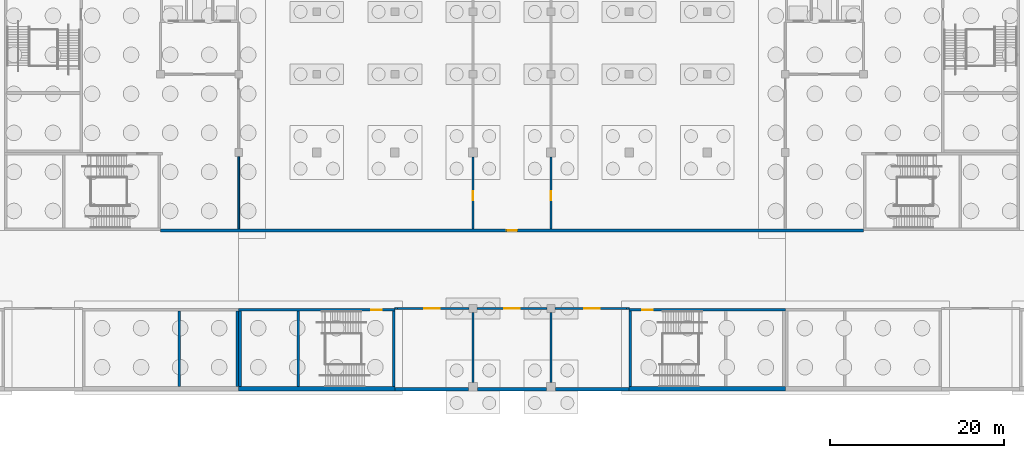
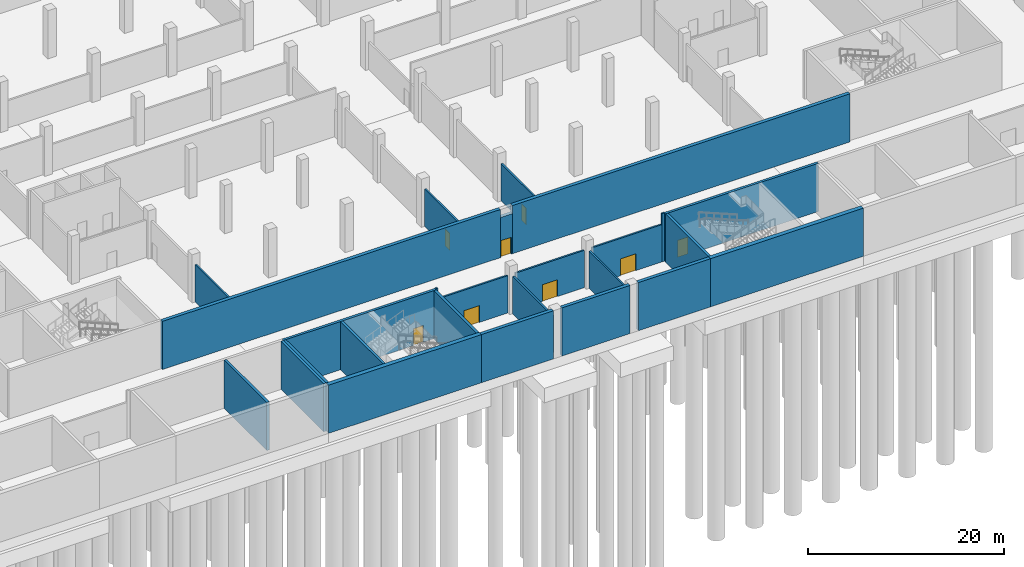
# One storey, part 10 of 42: 26 walls, 8 doors, 8 openings.
"""IFC4 building model written with IfcOpenShell, lengths in metres."""

from ifc_helpers import new_model, si_unit, direction, frame, frame_2d, origin, place, context, subcontext, project, spatial, rectangle, extrude, material, layer, layer_set, type_object, element, fill, save


model = new_model("IFC4")

# Units and contexts
model_context = context("Model", 3, precision=1e-05, world=origin(), true_north=direction((0.0, 1.0)))
body_context = subcontext(model_context, "Body", "Model", "MODEL_VIEW")
ifc_project = project(units=[si_unit("LENGTHUNIT", "METRE"), si_unit("AREAUNIT", "SQUARE_METRE"), si_unit("VOLUMEUNIT", "CUBIC_METRE"), si_unit("PLANEANGLEUNIT", "RADIAN"), si_unit("MASSUNIT", "GRAM", prefix="KILO")], contexts=[model_context])

# Site, building, storey
site_placement = place(None, origin())
site = spatial("IfcSite", under=ifc_project, at=site_placement, CompositionType="ELEMENT")
building_placement = place(site_placement, origin())
building = spatial("IfcBuilding", under=site, at=building_placement, Name="Silverbay Arena", CompositionType="ELEMENT")
storey_placement = place(building_placement, frame((0.0, 0.0, -6.0)))
storey = spatial("IfcBuildingStorey", under=building, at=storey_placement, Name="B1", CompositionType="ELEMENT", Elevation=-6.0)

# Walls
ifc_material_1 = material(Name="Concrete Grade C45", Category="concrete")
ifc_layer_1 = layer(ifc_material_1, 0.39990234375)
ifc_layer_set_1 = layer_set([ifc_layer_1], Name="Concrete Grade C45")
wall_type_1 = type_object("IfcWallType", Name="Basement perimeter wall 400", PredefinedType="SOLIDWALL", material=ifc_layer_set_1)
wall_1_placement = place(storey_placement, frame((117.0, 17.699951171875, 0.0), z_axis=(0.0, 0.0, 1.0), x_axis=(1.0, 0.0, 0.0)))
element("IfcWall", 1, at=wall_1_placement, inside=storey, type_object=wall_type_1, Name="South external wall B1 bay 11", PredefinedType="SOLIDWALL", context=body_context, shape_type="SweptSolid", body=[
    extrude(rectangle(XDim=8.5, YDim=0.39990234375, at=frame_2d((4.25, 0.0))), origin(), (0.0, 0.0, 1.0), 6.0),
])
wall_2_placement = place(storey_placement, frame((126.5, 17.699951171875, 0.0), z_axis=(0.0, 0.0, 1.0), x_axis=(1.0, 0.0, 0.0)))
element("IfcWall", 2, at=wall_2_placement, inside=storey, type_object=wall_type_1, Name="South external wall B1 bay 12", PredefinedType="SOLIDWALL", context=body_context, shape_type="SweptSolid", body=[
    extrude(rectangle(XDim=8.0, YDim=0.39990234375, at=frame_2d((4.0, 0.0))), origin(), (0.0, 0.0, 1.0), 6.0),
])
wall_3_placement = place(storey_placement, frame((135.5, 17.699951171875, 0.0), z_axis=(0.0, 0.0, 1.0), x_axis=(1.0, 0.0, 0.0)))
element("IfcWall", 3, at=wall_3_placement, inside=storey, type_object=wall_type_1, Name="South external wall B1 bay 13", PredefinedType="SOLIDWALL", context=body_context, shape_type="SweptSolid", body=[
    extrude(rectangle(XDim=8.5, YDim=0.39990234375, at=frame_2d((4.25, 0.0))), origin(), (0.0, 0.0, 1.0), 6.0),
])
ifc_material_2 = material(Name="Concrete Grade C45", Category="concrete")
ifc_layer_2 = layer(ifc_material_2, 0.300048828125)
ifc_layer_set_2 = layer_set([ifc_layer_2], Name="Concrete Grade C45")
wall_type_2 = type_object("IfcWallType", Name="Core wall RC 300 EI 240", PredefinedType="SHEAR", material=ifc_layer_set_2)
for number, where, z_axis, x_axis, name in (
    (4, (98.85009765625, 26.699951171875, 0.0), (0.0, 0.0, 1.0), (0.0, -1.0, 0.0), "Core wall ST-S1 B1 end 2"),
    (5, (92.14990234375, 26.699951171875, 0.0), (0.0, 0.0, 1.0), (0.0, -1.0, 0.0), "Core wall ST-S1 B1 stair enclosure"),
):
    element("IfcWall", number, at=place(storey_placement, frame(where, z_axis=z_axis, x_axis=x_axis)), inside=storey, type_object=wall_type_2, Name=name, PredefinedType="SHEAR", context=body_context, shape_type="SweptSolid", body=[
        extrude(rectangle(XDim=8.699951171875, YDim=0.300048828125, at=frame_2d((4.35009765625, 0.0))), origin(), (0.0, 0.0, 1.0), 6.0),
    ])

# Wall, opening, door
wall_4_placement = place(storey_placement, frame((117.0, 26.85009765625, 0.0), z_axis=(0.0, 0.0, 1.0), x_axis=(-1.0, 0.0, 0.0)))
wall_4 = element("IfcWall", 6, at=wall_4_placement, inside=storey, type_object=wall_type_2, Name="Core wall ST-S2 B1 door side", PredefinedType="SHEAR", context=body_context, shape_type="SweptSolid", body=[
    extrude(rectangle(XDim=18.0, YDim=0.300048828125, at=frame_2d((9.0, 0.0))), origin(), (0.0, 0.0, 1.0), 6.0),
])
opening_1_placement = place(wall_4_placement, frame((1.5, 0.0, 0.0)))
opening_1 = element("IfcOpeningElement", 7, at=opening_1_placement, cuts=wall_4, Name="Opening B1-078", PredefinedType="OPENING", context=body_context, shape_type="SweptSolid", body=[
    extrude(rectangle(XDim=1.199951171875, YDim=2.10009765625, at=frame_2d((0.60009765625, 1.050048828125))), frame((0.0, 0.16015625, 0.0), z_axis=(0.0, -1.0, 0.0), x_axis=(1.0, 0.0, 0.0)), (0.0, 0.0, 1.0), 0.320068359375),
])
ifc_material_3 = material(Name="Steel fire door", Category="steel")
door_type_1 = type_object("IfcDoorType", Name="Stair door 1200 x 2100 fire door", OperationType="SINGLE_SWING_LEFT", PredefinedType="DOOR", material=ifc_material_3)
door_1_placement = place(opening_1_placement, origin())
door_1 = element("IfcDoor", 8, at=door_1_placement, inside=storey, type_object=door_type_1, Name="Stair door ST-S2 B1", OperationType="SINGLE_SWING_LEFT", OverallHeight=2.10009765625, OverallWidth=1.199951171875, PredefinedType="DOOR", context=body_context, shape_type="SweptSolid", body=[
    extrude(rectangle(XDim=1.199951171875, YDim=2.10009765625, at=frame_2d((0.60009765625, 1.050048828125))), frame((0.0, 0.02490234375, 0.0), z_axis=(0.0, -1.0, 0.0), x_axis=(1.0, 0.0, 0.0)), (0.0, 0.0, 1.0), 0.050048828125),
])
fill(opening_1, door_1)

# Walls
for number, where, z_axis, x_axis, name in (
    (9, (116.85009765625, 26.699951171875, 0.0), (0.0, 0.0, 1.0), (0.0, -1.0, 0.0), "Core wall ST-S2 B1 end 1"),
    (10, (99.14990234375, 26.699951171875, 0.0), (0.0, 0.0, 1.0), (0.0, -1.0, 0.0), "Core wall ST-S2 B1 end 2"),
    (11, (105.85009765625, 26.699951171875, 0.0), (0.0, 0.0, 1.0), (0.0, -1.0, 0.0), "Core wall ST-S2 B1 stair enclosure"),
):
    element("IfcWall", number, at=place(storey_placement, frame(where, z_axis=z_axis, x_axis=x_axis)), inside=storey, type_object=wall_type_2, Name=name, PredefinedType="SHEAR", context=body_context, shape_type="SweptSolid", body=[
        extrude(rectangle(XDim=8.699951171875, YDim=0.300048828125, at=frame_2d((4.35009765625, 0.0))), origin(), (0.0, 0.0, 1.0), 6.0),
    ])

# Wall, opening, door
wall_5_placement = place(storey_placement, frame((144.0, 26.85009765625, 0.0), z_axis=(0.0, 0.0, 1.0), x_axis=(1.0, 0.0, 0.0)))
wall_5 = element("IfcWall", 12, at=wall_5_placement, inside=storey, type_object=wall_type_2, Name="Core wall ST-S3 B1 door side", PredefinedType="SHEAR", context=body_context, shape_type="SweptSolid", body=[
    extrude(rectangle(XDim=18.0, YDim=0.300048828125, at=frame_2d((9.0, 0.0))), origin(), (0.0, 0.0, 1.0), 6.0),
])
opening_2_placement = place(wall_5_placement, frame((1.5, 0.0, 0.0)))
opening_2 = element("IfcOpeningElement", 13, at=opening_2_placement, cuts=wall_5, Name="Opening B1-079", PredefinedType="OPENING", context=body_context, shape_type="SweptSolid", body=[
    extrude(rectangle(XDim=1.199951171875, YDim=2.10009765625, at=frame_2d((0.60009765625, 1.050048828125))), frame((0.0, 0.16015625, 0.0), z_axis=(0.0, -1.0, 0.0), x_axis=(1.0, 0.0, 0.0)), (0.0, 0.0, 1.0), 0.320068359375),
])
door_2_placement = place(opening_2_placement, frame((1.199951171875, 0.0, 0.0), z_axis=(0.0, 0.0, 1.0), x_axis=(-1.0, 0.0, 0.0)))
door_2 = element("IfcDoor", 14, at=door_2_placement, inside=storey, type_object=door_type_1, Name="Stair door ST-S3 B1", OperationType="SINGLE_SWING_RIGHT", OverallHeight=2.10009765625, OverallWidth=1.199951171875, PredefinedType="DOOR", context=body_context, shape_type="SweptSolid", body=[
    extrude(rectangle(XDim=1.199951171875, YDim=2.10009765625, at=frame_2d((0.60009765625, 1.050048828125))), frame((0.0, 0.02490234375, 0.0), z_axis=(0.0, -1.0, 0.0), x_axis=(1.0, 0.0, 0.0)), (0.0, 0.0, 1.0), 0.050048828125),
])
fill(opening_2, door_2)

# Walls
wall_6_placement = place(storey_placement, frame((144.14990234375, 26.699951171875, 0.0), z_axis=(0.0, 0.0, 1.0), x_axis=(0.0, -1.0, 0.0)))
element("IfcWall", 15, at=wall_6_placement, inside=storey, type_object=wall_type_2, Name="Core wall ST-S3 B1 end 1", PredefinedType="SHEAR", context=body_context, shape_type="SweptSolid", body=[
    extrude(rectangle(XDim=8.699951171875, YDim=0.300048828125, at=frame_2d((4.35009765625, 0.0))), origin(), (0.0, 0.0, 1.0), 6.0),
])
ifc_material_4 = material(Name="Concrete Grade C45", Category="concrete")
ifc_layer_3 = layer(ifc_material_4, 0.5)
ifc_layer_set_3 = layer_set([ifc_layer_3], Name="Concrete Grade C45")
wall_type_3 = type_object("IfcWallType", Name="Core wall RC 500 external EI 240", PredefinedType="SHEAR", material=ifc_layer_set_3)
for number, where, z_axis, x_axis, name in (
    (16, (117.0, 17.75, 0.0), (0.0, 0.0, 1.0), (-1.0, 0.0, 0.0), "Core wall ST-S2 B1 facade side"),
    (17, (144.0, 17.75, 0.0), (0.0, 0.0, 1.0), (1.0, 0.0, 0.0), "Core wall ST-S3 B1 facade side"),
):
    element("IfcWall", number, at=place(storey_placement, frame(where, z_axis=z_axis, x_axis=x_axis)), inside=storey, type_object=wall_type_3, Name=name, PredefinedType="SHEAR", context=body_context, shape_type="SweptSolid", body=[
        extrude(rectangle(XDim=18.0, YDim=0.5, at=frame_2d((9.0, 0.0))), origin(), (0.0, 0.0, 1.0), 6.0),
    ])

# Wall, opening, door
ifc_material_5 = material(Name="Masonry blockwork partition", Category="masonry")
ifc_layer_4 = layer(ifc_material_5, 0.199951171875)
ifc_layer_set_4 = layer_set([ifc_layer_4], Name="Masonry blockwork partition")
wall_type_4 = type_object("IfcWallType", Name="Partition 200 EI 240", PredefinedType="PARTITIONING", material=ifc_layer_set_4)
wall_7_placement = place(storey_placement, frame((117.300048828125, 27.0, 0.0), z_axis=(0.0, 0.0, 1.0), x_axis=(1.0, 0.0, 0.0)))
wall_7 = element("IfcWall", 18, at=wall_7_placement, inside=storey, type_object=wall_type_4, Name="Partition wall", PredefinedType="PARTITIONING", context=body_context, shape_type="SweptSolid", body=[
    extrude(rectangle(XDim=8.25, YDim=0.199951171875, at=frame_2d((4.125, 0.0))), origin(), (0.0, 0.0, 1.0), 4.64990234375),
])
opening_3_placement = place(wall_7_placement, frame((3.074951171875, 0.0, 0.0)))
opening_3 = element("IfcOpeningElement", 19, at=opening_3_placement, cuts=wall_7, Name="Opening B1-002", PredefinedType="OPENING", context=body_context, shape_type="SweptSolid", body=[
    extrude(rectangle(XDim=1.800048828125, YDim=2.10009765625, at=frame_2d((0.89990234375, 1.050048828125))), frame((0.0, 0.10986328125, 0.0), z_axis=(0.0, -1.0, 0.0), x_axis=(1.0, 0.0, 0.0)), (0.0, 0.0, 1.0), 0.219970703125),
])
ifc_material_6 = material(Name="Steel faced timber", Category="steel")
door_type_2 = type_object("IfcDoorType", Name="Double leaf door 1800 x 2100 FD120", OperationType="DOUBLE_DOOR_DOUBLE_SWING", PredefinedType="DOOR", material=ifc_material_6)
door_3_placement = place(opening_3_placement, frame((1.800048828125, 0.0, 0.0), z_axis=(0.0, 0.0, 1.0), x_axis=(-1.0, 0.0, 0.0)))
door_3 = element("IfcDoor", 20, at=door_3_placement, inside=storey, type_object=door_type_2, Name="Door B1-002", OperationType="DOUBLE_DOOR_DOUBLE_SWING", OverallHeight=2.10009765625, OverallWidth=1.800048828125, PredefinedType="DOOR", context=body_context, shape_type="SweptSolid", body=[
    extrude(rectangle(XDim=1.800048828125, YDim=2.10009765625, at=frame_2d((0.89990234375, 1.050048828125))), frame((0.0, 0.02490234375, 0.0), z_axis=(0.0, -1.0, 0.0), x_axis=(1.0, 0.0, 0.0)), (0.0, 0.0, 1.0), 0.050048828125),
])
fill(opening_3, door_3)

wall_8_placement = place(storey_placement, frame((126.449951171875, 27.0, 0.0), z_axis=(0.0, 0.0, 1.0), x_axis=(1.0, 0.0, 0.0)))
wall_8 = element("IfcWall", 21, at=wall_8_placement, inside=storey, type_object=wall_type_4, Name="Partition wall", PredefinedType="PARTITIONING", context=body_context, shape_type="SweptSolid", body=[
    extrude(rectangle(XDim=8.10009765625, YDim=0.199951171875, at=frame_2d((4.050048828125, 0.0))), origin(), (0.0, 0.0, 1.0), 4.64990234375),
])
opening_4_placement = place(wall_8_placement, frame((3.14990234375, 0.0, 0.0)))
opening_4 = element("IfcOpeningElement", 22, at=opening_4_placement, cuts=wall_8, Name="Opening B1-003", PredefinedType="OPENING", context=body_context, shape_type="SweptSolid", body=[
    extrude(rectangle(XDim=1.800048828125, YDim=2.10009765625, at=frame_2d((0.89990234375, 1.050048828125))), frame((0.0, 0.10986328125, 0.0), z_axis=(0.0, -1.0, 0.0), x_axis=(1.0, 0.0, 0.0)), (0.0, 0.0, 1.0), 0.219970703125),
])
door_4_placement = place(opening_4_placement, frame((1.800048828125, 0.0, 0.0), z_axis=(0.0, 0.0, 1.0), x_axis=(-1.0, 0.0, 0.0)))
door_4 = element("IfcDoor", 23, at=door_4_placement, inside=storey, type_object=door_type_2, Name="Door B1-003", OperationType="DOUBLE_DOOR_DOUBLE_SWING", OverallHeight=2.10009765625, OverallWidth=1.800048828125, PredefinedType="DOOR", context=body_context, shape_type="SweptSolid", body=[
    extrude(rectangle(XDim=1.800048828125, YDim=2.10009765625, at=frame_2d((0.89990234375, 1.050048828125))), frame((0.0, 0.02490234375, 0.0), z_axis=(0.0, -1.0, 0.0), x_axis=(1.0, 0.0, 0.0)), (0.0, 0.0, 1.0), 0.050048828125),
])
fill(opening_4, door_4)

wall_9_placement = place(storey_placement, frame((135.449951171875, 27.0, 0.0), z_axis=(0.0, 0.0, 1.0), x_axis=(1.0, 0.0, 0.0)))
wall_9 = element("IfcWall", 24, at=wall_9_placement, inside=storey, type_object=wall_type_4, Name="Partition wall", PredefinedType="PARTITIONING", context=body_context, shape_type="SweptSolid", body=[
    extrude(rectangle(XDim=8.25, YDim=0.199951171875, at=frame_2d((4.125, 0.0))), origin(), (0.0, 0.0, 1.0), 4.64990234375),
])
opening_5_placement = place(wall_9_placement, frame((3.375, 0.0, 0.0)))
opening_5 = element("IfcOpeningElement", 25, at=opening_5_placement, cuts=wall_9, Name="Opening B1-004", PredefinedType="OPENING", context=body_context, shape_type="SweptSolid", body=[
    extrude(rectangle(XDim=1.800048828125, YDim=2.10009765625, at=frame_2d((0.89990234375, 1.050048828125))), frame((0.0, 0.10986328125, 0.0), z_axis=(0.0, -1.0, 0.0), x_axis=(1.0, 0.0, 0.0)), (0.0, 0.0, 1.0), 0.219970703125),
])
door_5_placement = place(opening_5_placement, frame((1.800048828125, 0.0, 0.0), z_axis=(0.0, 0.0, 1.0), x_axis=(-1.0, 0.0, 0.0)))
door_5 = element("IfcDoor", 26, at=door_5_placement, inside=storey, type_object=door_type_2, Name="Door B1-004", OperationType="DOUBLE_DOOR_DOUBLE_SWING", OverallHeight=2.10009765625, OverallWidth=1.800048828125, PredefinedType="DOOR", context=body_context, shape_type="SweptSolid", body=[
    extrude(rectangle(XDim=1.800048828125, YDim=2.10009765625, at=frame_2d((0.89990234375, 1.050048828125))), frame((0.0, 0.02490234375, 0.0), z_axis=(0.0, -1.0, 0.0), x_axis=(1.0, 0.0, 0.0)), (0.0, 0.0, 1.0), 0.050048828125),
])
fill(opening_5, door_5)

# Walls
wall_10_placement = place(storey_placement, frame((99.0, 36.199951171875, 0.0), z_axis=(0.0, 0.0, 1.0), x_axis=(0.0, 1.0, 0.0)))
element("IfcWall", 27, at=wall_10_placement, inside=storey, type_object=wall_type_4, Name="Partition wall", PredefinedType="PARTITIONING", context=body_context, shape_type="SweptSolid", body=[
    extrude(rectangle(XDim=8.35009765625, YDim=0.199951171875, at=frame_2d((4.175048828125, 0.0))), origin(), (0.0, 0.0, 1.0), 4.64990234375),
])
wall_11_placement = place(storey_placement, frame((126.0, 18.5, 0.0), z_axis=(0.0, 0.0, 1.0), x_axis=(0.0, 1.0, 0.0)))
element("IfcWall", 28, at=wall_11_placement, inside=storey, type_object=wall_type_4, Name="Partition wall", PredefinedType="PARTITIONING", context=body_context, shape_type="SweptSolid", body=[
    extrude(rectangle(XDim=8.050048828125, YDim=0.199951171875, at=frame_2d((4.02490234375, 0.0))), origin(), (0.0, 0.0, 1.0), 4.64990234375),
])

# Wall, opening, door
wall_12_placement = place(storey_placement, frame((126.0, 36.199951171875, 0.0), z_axis=(0.0, 0.0, 1.0), x_axis=(0.0, 1.0, 0.0)))
wall_12 = element("IfcWall", 29, at=wall_12_placement, inside=storey, type_object=wall_type_4, Name="Partition wall", PredefinedType="PARTITIONING", context=body_context, shape_type="SweptSolid", body=[
    extrude(rectangle(XDim=8.300048828125, YDim=0.199951171875, at=frame_2d((4.14990234375, 0.0))), origin(), (0.0, 0.0, 1.0), 4.64990234375),
])
opening_6_placement = place(wall_12_placement, frame((3.300048828125, 0.0, 0.0)))
opening_6 = element("IfcOpeningElement", 30, at=opening_6_placement, cuts=wall_12, Name="Opening B1-041", PredefinedType="OPENING", context=body_context, shape_type="SweptSolid", body=[
    extrude(rectangle(XDim=1.0, YDim=2.10009765625, at=frame_2d((0.5, 1.050048828125))), frame((0.0, 0.10986328125, 0.0), z_axis=(0.0, -1.0, 0.0), x_axis=(1.0, 0.0, 0.0)), (0.0, 0.0, 1.0), 0.219970703125),
])
ifc_material_7 = material(Name="Steel faced timber", Category="steel")
door_type_3 = type_object("IfcDoorType", Name="Single leaf door 1000 x 2100 FD30S", OperationType="SINGLE_SWING_LEFT", PredefinedType="DOOR", material=ifc_material_7)
door_6_placement = place(opening_6_placement, origin())
door_6 = element("IfcDoor", 31, at=door_6_placement, inside=storey, type_object=door_type_3, Name="Door B1-041", OperationType="SINGLE_SWING_LEFT", OverallHeight=2.10009765625, OverallWidth=1.0, PredefinedType="DOOR", context=body_context, shape_type="SweptSolid", body=[
    extrude(rectangle(XDim=1.0, YDim=2.10009765625, at=frame_2d((0.5, 1.050048828125))), frame((0.0, 0.02490234375, 0.0), z_axis=(0.0, -1.0, 0.0), x_axis=(1.0, 0.0, 0.0)), (0.0, 0.0, 1.0), 0.050048828125),
])
fill(opening_6, door_6)

# Wall
wall_13_placement = place(storey_placement, frame((135.0, 18.5, 0.0), z_axis=(0.0, 0.0, 1.0), x_axis=(0.0, 1.0, 0.0)))
element("IfcWall", 32, at=wall_13_placement, inside=storey, type_object=wall_type_4, Name="Partition wall", PredefinedType="PARTITIONING", context=body_context, shape_type="SweptSolid", body=[
    extrude(rectangle(XDim=8.050048828125, YDim=0.199951171875, at=frame_2d((4.02490234375, 0.0))), origin(), (0.0, 0.0, 1.0), 4.64990234375),
])

# Wall, opening, door
wall_14_placement = place(storey_placement, frame((135.0, 36.199951171875, 0.0), z_axis=(0.0, 0.0, 1.0), x_axis=(0.0, 1.0, 0.0)))
wall_14 = element("IfcWall", 33, at=wall_14_placement, inside=storey, type_object=wall_type_4, Name="Partition wall", PredefinedType="PARTITIONING", context=body_context, shape_type="SweptSolid", body=[
    extrude(rectangle(XDim=8.300048828125, YDim=0.199951171875, at=frame_2d((4.14990234375, 0.0))), origin(), (0.0, 0.0, 1.0), 4.64990234375),
])
opening_7_placement = place(wall_14_placement, frame((3.300048828125, 0.0, 0.0)))
opening_7 = element("IfcOpeningElement", 34, at=opening_7_placement, cuts=wall_14, Name="Opening B1-044", PredefinedType="OPENING", context=body_context, shape_type="SweptSolid", body=[
    extrude(rectangle(XDim=1.0, YDim=2.10009765625, at=frame_2d((0.5, 1.050048828125))), frame((0.0, 0.10986328125, 0.0), z_axis=(0.0, -1.0, 0.0), x_axis=(1.0, 0.0, 0.0)), (0.0, 0.0, 1.0), 0.219970703125),
])
door_7_placement = place(opening_7_placement, frame((1.0, 0.0, 0.0), z_axis=(0.0, 0.0, 1.0), x_axis=(-1.0, 0.0, 0.0)))
door_7 = element("IfcDoor", 35, at=door_7_placement, inside=storey, type_object=door_type_3, Name="Door B1-044", OperationType="SINGLE_SWING_RIGHT", OverallHeight=2.10009765625, OverallWidth=1.0, PredefinedType="DOOR", context=body_context, shape_type="SweptSolid", body=[
    extrude(rectangle(XDim=1.0, YDim=2.10009765625, at=frame_2d((0.5, 1.050048828125))), frame((0.0, 0.02490234375, 0.0), z_axis=(0.0, -1.0, 0.0), x_axis=(1.0, 0.0, 0.0)), (0.0, 0.0, 1.0), 0.050048828125),
])
fill(opening_7, door_7)

# Walls
for number, where, z_axis, x_axis, name in (
    (36, (117.0, 27.0, 0.0), (0.0, 0.0, 1.0), (1.0, 0.0, 0.0), "Partition wall"),
    (37, (143.699951171875, 27.0, 0.0), (0.0, 0.0, 1.0), (1.0, 0.0, 0.0), "Partition wall"),
):
    element("IfcWall", number, at=place(storey_placement, frame(where, z_axis=z_axis, x_axis=x_axis)), inside=storey, type_object=wall_type_4, Name=name, PredefinedType="PARTITIONING", context=body_context, shape_type="SweptSolid", body=[
        extrude(rectangle(XDim=0.300048828125, YDim=0.199951171875, at=frame_2d((0.14990234375, 0.0))), origin(), (0.0, 0.0, 1.0), 6.0),
    ])
ifc_material_8 = material(Name="Concrete Grade C45", Category="concrete")
ifc_layer_5 = layer(ifc_material_8, 0.39990234375)
ifc_layer_set_5 = layer_set([ifc_layer_5], Name="Concrete Grade C45")
wall_type_5 = type_object("IfcWallType", Name="RC back wall 400 EI 240", PredefinedType="SOLIDWALL", material=ifc_layer_set_5)
for number, where, z_axis, x_axis, name in (
    (38, (90.0, 36.0, 0.0), (0.0, 0.0, 1.0), (1.0, 0.0, 0.0), "Bowl back wall B1 01"),
    (39, (131.199951171875, 36.0, 0.0), (0.0, 0.0, 1.0), (1.0, 0.0, 0.0), "Bowl back wall B1 02"),
):
    element("IfcWall", number, at=place(storey_placement, frame(where, z_axis=z_axis, x_axis=x_axis)), inside=storey, type_object=wall_type_5, Name=name, PredefinedType="SOLIDWALL", context=body_context, shape_type="SweptSolid", body=[
        extrude(rectangle(XDim=39.800048828125, YDim=0.39990234375, at=frame_2d((19.89990234375, 0.0))), origin(), (0.0, 0.0, 1.0), 6.0),
    ])

# Wall, opening, door
wall_15_placement = place(storey_placement, frame((129.800048828125, 36.0, 0.0), z_axis=(0.0, 0.0, 1.0), x_axis=(1.0, 0.0, 0.0)))
wall_15 = element("IfcWall", 40, at=wall_15_placement, inside=storey, type_object=wall_type_5, Name="Spur end wall B1-S", PredefinedType="SOLIDWALL", context=body_context, shape_type="SweptSolid", body=[
    extrude(rectangle(XDim=1.39990234375, YDim=0.39990234375, at=frame_2d((0.699951171875, 0.0))), origin(), (0.0, 0.0, 1.0), 5.0),
])
opening_8_placement = place(wall_15_placement, frame((0.10009765625, 0.0, 0.0)))
opening_8 = element("IfcOpeningElement", 41, at=opening_8_placement, cuts=wall_15, Name="Opening B1-120", PredefinedType="OPENING", context=body_context, shape_type="SweptSolid", body=[
    extrude(rectangle(XDim=1.199951171875, YDim=2.10009765625, at=frame_2d((0.60009765625, 1.050048828125))), frame((0.0, 0.2099609375, 0.0), z_axis=(0.0, -1.0, 0.0), x_axis=(1.0, 0.0, 0.0)), (0.0, 0.0, 1.0), 0.419921875),
])
ifc_material_9 = material(Name="Steel faced timber", Category="steel")
door_type_4 = type_object("IfcDoorType", Name="Single leaf door 1200 x 2100 FD240", OperationType="SINGLE_SWING_LEFT", PredefinedType="DOOR", material=ifc_material_9)
door_8_placement = place(opening_8_placement, frame((1.199951171875, 0.0, 0.0), z_axis=(0.0, 0.0, 1.0), x_axis=(-1.0, 0.0, 0.0)))
door_8 = element("IfcDoor", 42, at=door_8_placement, inside=storey, type_object=door_type_4, Name="Door B1-120", OperationType="SINGLE_SWING_RIGHT", OverallHeight=2.10009765625, OverallWidth=1.199951171875, PredefinedType="DOOR", context=body_context, shape_type="SweptSolid", body=[
    extrude(rectangle(XDim=1.199951171875, YDim=2.10009765625, at=frame_2d((0.60009765625, 1.050048828125))), frame((0.0, 0.02490234375, 0.0), z_axis=(0.0, -1.0, 0.0), x_axis=(1.0, 0.0, 0.0)), (0.0, 0.0, 1.0), 0.050048828125),
])
fill(opening_8, door_8)

save(model, "model.ifc")
